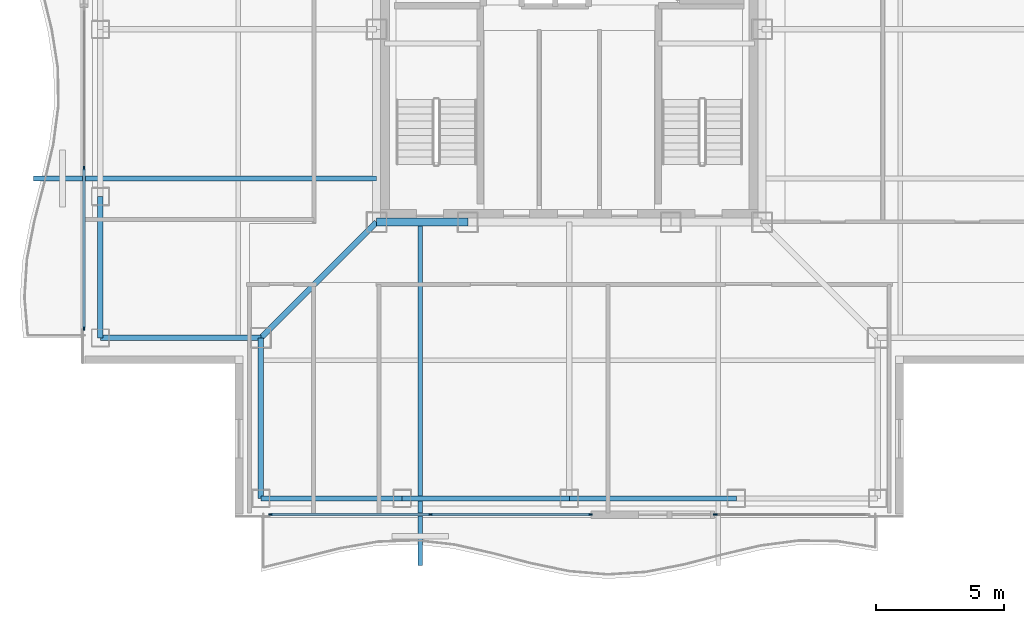
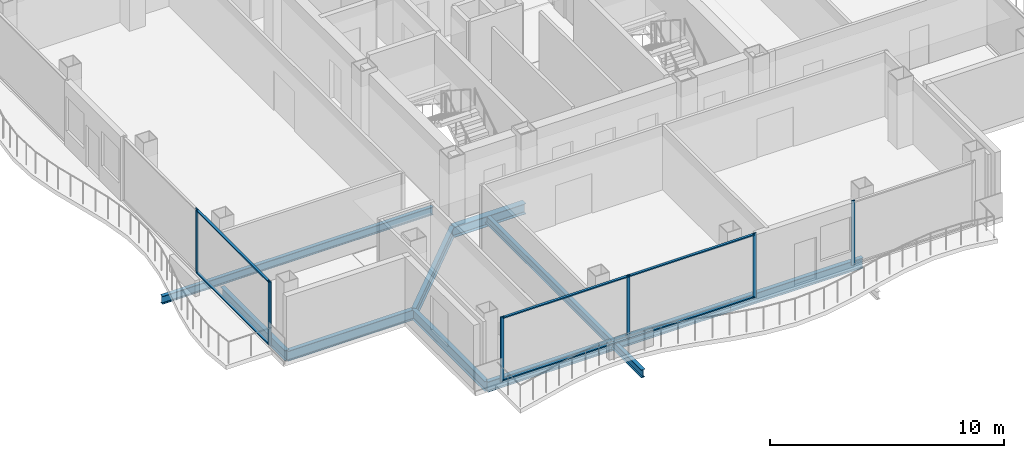
# One storey, part 2 of 17: 12 members, 10 beams, 3 elements without a shape of their own.
"""IFC4 building model written with IfcOpenShell, lengths in metres."""

from ifc_helpers import new_model, si_unit, direction, frame, origin, origin_2d, place, context, subcontext, project, spatial, rectangle, i_section, extrude, material, layer, layer_set, material_profile, profile_set, type_object, element, aggregate, save


model = new_model("IFC4")

# Units and contexts
model_context = context("Model", 3, precision=1e-05, world=origin(), true_north=direction((0.0, 1.0)))
body_context = subcontext(model_context, "Body", "Model", "MODEL_VIEW")
ifc_project = project(units=[si_unit("LENGTHUNIT", "METRE"), si_unit("AREAUNIT", "SQUARE_METRE"), si_unit("VOLUMEUNIT", "CUBIC_METRE"), si_unit("PLANEANGLEUNIT", "RADIAN"), si_unit("MASSUNIT", "GRAM", prefix="KILO")], contexts=[model_context])

# Site, building, storey
site_placement = place(None, origin())
site = spatial("IfcSite", under=ifc_project, at=site_placement, CompositionType="ELEMENT")
building_placement = place(site_placement, origin())
building = spatial("IfcBuilding", under=site, at=building_placement, Name="Trevonay Congress Spire", CompositionType="ELEMENT")
storey_placement = place(building_placement, frame((0.0, 0.0, 264.800048828125)))
storey = spatial("IfcBuildingStorey", under=building, at=storey_placement, Name="L69", CompositionType="ELEMENT", Elevation=264.800048828125)

# Beams
ifc_material_1 = material(Name="Steel ASTM A572 Grade 50", Category="steel")
ifc_material_profile_1 = material_profile(ifc_material_1, i_section(OverallWidth=0.2119140625, OverallDepth=0.5439453125, WebThickness=0.01318359375, FlangeThickness=0.021240234375, FilletRadius=0.014892578125, at=origin_2d()), Name="W530x123")
ifc_profile_set_1 = profile_set([ifc_material_profile_1], Name="Steel ASTM A572 Grade 50")
beam_type_1 = type_object("IfcBeamType", Name="BM-GIRD-W530X123", PredefinedType="BEAM", material=ifc_profile_set_1)
beam_1_placement = place(storey_placement, frame((-7.5, -7.5, -0.511962890625), z_axis=(-0.707106781187, -0.707106781187, 0.0), x_axis=(0.707106781187, -0.707106781187, 0.0)))
element("IfcBeam", 1, at=beam_1_placement, inside=storey, type_object=beam_type_1, Name="L69 structural beam BM-L69-CDSW", PredefinedType="BEAM", context=body_context, shape_type="SweptSolid", body=[
    extrude(i_section(OverallWidth=0.2119140625, OverallDepth=0.5439453125, WebThickness=0.01318359375, FlangeThickness=0.021240234375, FilletRadius=0.014892578125, at=origin_2d()), origin(), (0.0, 0.0, 1.0), 6.364013671875),
])
ifc_material_profile_2 = material_profile(ifc_material_1, i_section(OverallWidth=0.31201171875, OverallDepth=0.54296875, WebThickness=0.0126953125, FlangeThickness=0.020263671875, FilletRadius=0.014892578125, at=origin_2d()), Name="W530x150")
ifc_profile_set_2 = profile_set([ifc_material_profile_2], Name="Steel ASTM A572 Grade 50")
beam_type_2 = type_object("IfcBeamType", Name="BM-GIRD-W530X150", PredefinedType="BEAM", material=ifc_profile_set_2)
beam_2_placement = place(storey_placement, frame((-7.5, -7.5, -0.511474609375), z_axis=(1.0, 0.0, 0.0), x_axis=(0.0, 1.0, 0.0)))
element("IfcBeam", 2, at=beam_2_placement, inside=storey, type_object=beam_type_2, Name="L69 structural beam BM-L69-CR-S1", PredefinedType="BEAM", context=body_context, shape_type="SweptSolid", body=[
    extrude(i_section(OverallWidth=0.31201171875, OverallDepth=0.54296875, WebThickness=0.0126953125, FlangeThickness=0.020263671875, FilletRadius=0.014892578125, at=origin_2d()), origin(), (0.0, 0.0, 1.0), 3.550048828125),
])
ifc_material_profile_3 = material_profile(ifc_material_1, i_section(OverallWidth=0.208984375, OverallDepth=0.532958984375, WebThickness=0.01025390625, FlangeThickness=0.015625, FilletRadius=0.014892578125, at=origin_2d()), Name="W530x92")
ifc_profile_set_3 = profile_set([ifc_material_profile_3], Name="Steel ASTM A572 Grade 50")
beam_type_3 = type_object("IfcBeamType", Name="BM-RING-W530X92", PredefinedType="BEAM", material=ifc_profile_set_3)
for number, where, z_axis, x_axis, name in (
    (3, (-12.0, -18.25, -0.506591796875), (1.0, 0.0, 0.0), (0.0, 1.0, 0.0), "L69 structural beam BM-L69-PS1"),
    (4, (-18.25, -12.0, -0.506591796875), (0.0, 1.0, 0.0), (-1.0, 0.0, 0.0), "L69 structural beam BM-L69-PW1"),
):
    element("IfcBeam", number, at=place(storey_placement, frame(where, z_axis=z_axis, x_axis=x_axis)), inside=storey, type_object=beam_type_3, Name=name, PredefinedType="BEAM", context=body_context, shape_type="SweptSolid", body=[
        extrude(i_section(OverallWidth=0.208984375, OverallDepth=0.532958984375, WebThickness=0.01025390625, FlangeThickness=0.015625, FilletRadius=0.014892578125, at=origin_2d()), origin(), (0.0, 0.0, 1.0), 5.5),
    ])
for number, where, z_axis, x_axis, name in (
    (5, (-6.5, -18.25, -0.506591796875), (1.0, 0.0, 0.0), (0.0, 1.0, 0.0), "L69 structural beam BM-L69-PS2"),
    (6, (0.0, -18.25, -0.506591796875), (1.0, 0.0, 0.0), (0.0, 1.0, 0.0), "L69 structural beam BM-L69-PS3"),
):
    element("IfcBeam", number, at=place(storey_placement, frame(where, z_axis=z_axis, x_axis=x_axis)), inside=storey, type_object=beam_type_3, Name=name, PredefinedType="BEAM", context=body_context, shape_type="SweptSolid", body=[
        extrude(i_section(OverallWidth=0.208984375, OverallDepth=0.532958984375, WebThickness=0.01025390625, FlangeThickness=0.015625, FilletRadius=0.014892578125, at=origin_2d()), origin(), (0.0, 0.0, 1.0), 6.5),
    ])
for number, where, z_axis, x_axis, name in (
    (7, (-12.0, -18.25, -0.506591796875), (0.0, 1.0, 0.0), (-1.0, 0.0, 0.0), "L69 structural beam BM-L69-N1SW"),
    (8, (-18.25, -12.0, -0.506591796875), (1.0, 0.0, 0.0), (0.0, 1.0, 0.0), "L69 structural beam BM-L69-N2SW"),
):
    element("IfcBeam", number, at=place(storey_placement, frame(where, z_axis=z_axis, x_axis=x_axis)), inside=storey, type_object=beam_type_3, Name=name, PredefinedType="BEAM", context=body_context, shape_type="SweptSolid", body=[
        extrude(i_section(OverallWidth=0.208984375, OverallDepth=0.532958984375, WebThickness=0.01025390625, FlangeThickness=0.015625, FilletRadius=0.014892578125, at=origin_2d()), origin(), (0.0, 0.0, 1.0), 6.25),
    ])
ifc_material_profile_4 = material_profile(ifc_material_1, i_section(OverallWidth=0.180908203125, OverallDepth=0.4169921875, WebThickness=0.010986328125, FlangeThickness=0.018310546875, FilletRadius=0.012939453125, at=origin_2d()), Name="W410x85")
ifc_profile_set_4 = profile_set([ifc_material_profile_4], Name="Steel ASTM A572 Grade 50")
beam_type_4 = type_object("IfcBeamType", Name="BM-WAV-LOOKOUT", PredefinedType="BEAM", material=ifc_profile_set_4)
for number, where, z_axis, x_axis, name in (
    (9, (-5.800048828125, -7.5, -0.448486328125), (0.0, -1.0, 0.0), (1.0, 0.0, 0.0), "L69 structural beam WLK-L69-S1"),
    (10, (-7.5, -5.800048828125, -0.448486328125), (-1.0, 0.0, 0.0), (0.0, -1.0, 0.0), "L69 structural beam WLK-L69-W1"),
):
    element("IfcBeam", number, at=place(storey_placement, frame(where, z_axis=z_axis, x_axis=x_axis)), inside=storey, type_object=beam_type_4, Name=name, PredefinedType="BEAM", context=body_context, shape_type="SweptSolid", body=[
        extrude(i_section(OverallWidth=0.180908203125, OverallDepth=0.4169921875, WebThickness=0.010986328125, FlangeThickness=0.018310546875, FilletRadius=0.012939453125, at=origin_2d()), origin(), (0.0, 0.0, 1.0), 13.35009765625),
    ])

# Curtain wall, members
ifc_material_2 = material(Name="Pale Anodised Aluminium EN AW-6063-T6", Category="aluminium")
ifc_layer = layer(ifc_material_2, 0.1650390625, Name="Pale Anodised Aluminium EN AW-6063-T6")
ifc_layer_set = layer_set([ifc_layer], Name="Pale Anodised Aluminium EN AW-6063-T6")
curtain_wall_type = type_object("IfcCurtainWallType", Name="CW-SYS05-DIPLOM-PALE-METAL", PredefinedType="NOTDEFINED", material=ifc_layer_set)
curtain_wall_1_placement = place(storey_placement, origin())
curtain_wall_1 = element("IfcCurtainWall", 11, at=curtain_wall_1_placement, inside=storey, type_object=curtain_wall_type, Name="L69 SA unitised curtain wall", PredefinedType="NOTDEFINED")
ifc_material_profile_5 = material_profile(ifc_material_2, rectangle(XDim=0.06005859375, YDim=0.159912109375, at=origin_2d()), Name="CW-MULLION-160-ALUMINIUM")
ifc_profile_set_5 = profile_set([ifc_material_profile_5], Name="Pale Anodised Aluminium EN AW-6063-T6")
member_type_1 = type_object("IfcMemberType", Name="CW-MULLION-160-ALUMINIUM", PredefinedType="MULLION", material=ifc_profile_set_5)
member_1_placement = place(storey_placement, frame((-11.6201171875, -18.8798828125, 0.0), z_axis=(0.0, 0.0, 1.0), x_axis=(0.0, 1.0, 0.0)))
member_1 = element("IfcMember", 12, at=member_1_placement, type_object=member_type_1, Name="CW05 mullion 1", PredefinedType="MULLION", context=body_context, shape_type="SweptSolid", body=[
    extrude(rectangle(XDim=0.06005859375, YDim=0.159912109375, at=origin_2d()), origin(), (0.0, 0.0, 1.0), 3.35986328125),
])
member_2_placement = place(storey_placement, frame((-5.39990234375, -18.8798828125, 0.0), z_axis=(0.0, 0.0, 1.0), x_axis=(0.0, 1.0, 0.0)))
member_2 = element("IfcMember", 13, at=member_2_placement, type_object=member_type_1, Name="CW05 mullion 2", PredefinedType="MULLION", context=body_context, shape_type="SweptSolid", body=[
    extrude(rectangle(XDim=0.06005859375, YDim=0.159912109375, at=origin_2d()), origin(), (0.0, 0.0, 1.0), 3.35986328125),
])
member_3_placement = place(storey_placement, frame((0.820068359375, -18.8798828125, 0.0), z_axis=(0.0, 0.0, 1.0), x_axis=(0.0, 1.0, 0.0)))
member_3 = element("IfcMember", 14, at=member_3_placement, type_object=member_type_1, Name="CW05 mullion 3", PredefinedType="MULLION", context=body_context, shape_type="SweptSolid", body=[
    extrude(rectangle(XDim=0.06005859375, YDim=0.159912109375, at=origin_2d()), origin(), (0.0, 0.0, 1.0), 3.35986328125),
])

# Curtain wall, member
curtain_wall_2_placement = place(storey_placement, origin())
curtain_wall_2 = element("IfcCurtainWall", 15, at=curtain_wall_2_placement, inside=storey, type_object=curtain_wall_type, Name="L69 SB unitised curtain wall", PredefinedType="NOTDEFINED")
member_4_placement = place(storey_placement, frame((5.679931640625, -18.8798828125, 0.0), z_axis=(0.0, 0.0, 1.0), x_axis=(0.0, 1.0, 0.0)))
member_4 = element("IfcMember", 16, at=member_4_placement, type_object=member_type_1, Name="CW05 mullion 1", PredefinedType="MULLION", context=body_context, shape_type="SweptSolid", body=[
    extrude(rectangle(XDim=0.06005859375, YDim=0.159912109375, at=origin_2d()), origin(), (0.0, 0.0, 1.0), 3.35986328125),
])
aggregate(curtain_wall_2, [member_4])

# Curtain wall, members
curtain_wall_3_placement = place(storey_placement, origin())
curtain_wall_3 = element("IfcCurtainWall", 17, at=curtain_wall_3_placement, inside=storey, type_object=curtain_wall_type, Name="L69 WA unitised curtain wall", PredefinedType="NOTDEFINED")
member_5_placement = place(storey_placement, frame((-18.8798828125, -11.6201171875, 0.0), z_axis=(0.0, 0.0, 1.0), x_axis=(-1.0, 0.0, 0.0)))
member_5 = element("IfcMember", 18, at=member_5_placement, type_object=member_type_1, Name="CW05 mullion 1", PredefinedType="MULLION", context=body_context, shape_type="SweptSolid", body=[
    extrude(rectangle(XDim=0.06005859375, YDim=0.159912109375, at=origin_2d()), origin(), (0.0, 0.0, 1.0), 3.35986328125),
])
member_6_placement = place(storey_placement, frame((-18.8798828125, -5.39990234375, 0.0), z_axis=(0.0, 0.0, 1.0), x_axis=(-1.0, 0.0, 0.0)))
member_6 = element("IfcMember", 19, at=member_6_placement, type_object=member_type_1, Name="CW05 mullion 2", PredefinedType="MULLION", context=body_context, shape_type="SweptSolid", body=[
    extrude(rectangle(XDim=0.06005859375, YDim=0.159912109375, at=origin_2d()), origin(), (0.0, 0.0, 1.0), 3.35986328125),
])

# Member
ifc_material_profile_6 = material_profile(ifc_material_2, rectangle(XDim=0.1201171875, YDim=0.06005859375, at=origin_2d()), Name="CW-TRANSOM-120-ALUMINIUM")
ifc_profile_set_6 = profile_set([ifc_material_profile_6], Name="Pale Anodised Aluminium EN AW-6063-T6")
member_type_2 = type_object("IfcMemberType", Name="CW-TRANSOM-120-ALUMINIUM", PredefinedType="USERDEFINED", material=ifc_profile_set_6)
member_7_placement = place(storey_placement, frame((-11.590087890625, -18.8798828125, 0.06005859375), z_axis=(1.0, 0.0, 0.0), x_axis=(0.0, 1.0, 0.0)))
member_7 = element("IfcMember", 20, at=member_7_placement, type_object=member_type_2, Name="CW05 transom 1.1", ObjectType="TRANSOM", PredefinedType="USERDEFINED", context=body_context, shape_type="SweptSolid", body=[
    extrude(rectangle(XDim=0.1201171875, YDim=0.06005859375, at=origin_2d()), origin(), (0.0, 0.0, 1.0), 6.16015625),
])

member_8_placement = place(storey_placement, frame((-11.590087890625, -18.8798828125, 3.300048828125), z_axis=(1.0, 0.0, 0.0), x_axis=(0.0, 1.0, 0.0)))
member_8 = element("IfcMember", 21, at=member_8_placement, type_object=member_type_2, Name="CW05 transom 1.2", ObjectType="TRANSOM", PredefinedType="USERDEFINED", context=body_context, shape_type="SweptSolid", body=[
    extrude(rectangle(XDim=0.1201171875, YDim=0.06005859375, at=origin_2d()), origin(), (0.0, 0.0, 1.0), 6.16015625),
])

member_9_placement = place(storey_placement, frame((-5.3701171875, -18.8798828125, 0.06005859375), z_axis=(1.0, 0.0, 0.0), x_axis=(0.0, 1.0, 0.0)))
member_9 = element("IfcMember", 22, at=member_9_placement, type_object=member_type_2, Name="CW05 transom 2.1", ObjectType="TRANSOM", PredefinedType="USERDEFINED", context=body_context, shape_type="SweptSolid", body=[
    extrude(rectangle(XDim=0.1201171875, YDim=0.06005859375, at=origin_2d()), origin(), (0.0, 0.0, 1.0), 6.16015625),
])

member_10_placement = place(storey_placement, frame((-5.3701171875, -18.8798828125, 3.300048828125), z_axis=(1.0, 0.0, 0.0), x_axis=(0.0, 1.0, 0.0)))
member_10 = element("IfcMember", 23, at=member_10_placement, type_object=member_type_2, Name="CW05 transom 2.2", ObjectType="TRANSOM", PredefinedType="USERDEFINED", context=body_context, shape_type="SweptSolid", body=[
    extrude(rectangle(XDim=0.1201171875, YDim=0.06005859375, at=origin_2d()), origin(), (0.0, 0.0, 1.0), 6.16015625),
])

aggregate(curtain_wall_1, [member_1, member_2, member_3, member_7, member_8, member_9, member_10])

member_11_placement = place(storey_placement, frame((-18.8798828125, -11.590087890625, 0.06005859375), z_axis=(0.0, 1.0, 0.0), x_axis=(-1.0, 0.0, 0.0)))
member_11 = element("IfcMember", 24, at=member_11_placement, type_object=member_type_2, Name="CW05 transom 1.1", ObjectType="TRANSOM", PredefinedType="USERDEFINED", context=body_context, shape_type="SweptSolid", body=[
    extrude(rectangle(XDim=0.1201171875, YDim=0.06005859375, at=origin_2d()), origin(), (0.0, 0.0, 1.0), 6.16015625),
])

member_12_placement = place(storey_placement, frame((-18.8798828125, -11.590087890625, 3.300048828125), z_axis=(0.0, 1.0, 0.0), x_axis=(-1.0, 0.0, 0.0)))
member_12 = element("IfcMember", 25, at=member_12_placement, type_object=member_type_2, Name="CW05 transom 1.2", ObjectType="TRANSOM", PredefinedType="USERDEFINED", context=body_context, shape_type="SweptSolid", body=[
    extrude(rectangle(XDim=0.1201171875, YDim=0.06005859375, at=origin_2d()), origin(), (0.0, 0.0, 1.0), 6.16015625),
])

aggregate(curtain_wall_3, [member_5, member_6, member_11, member_12])

save(model, "model.ifc")
